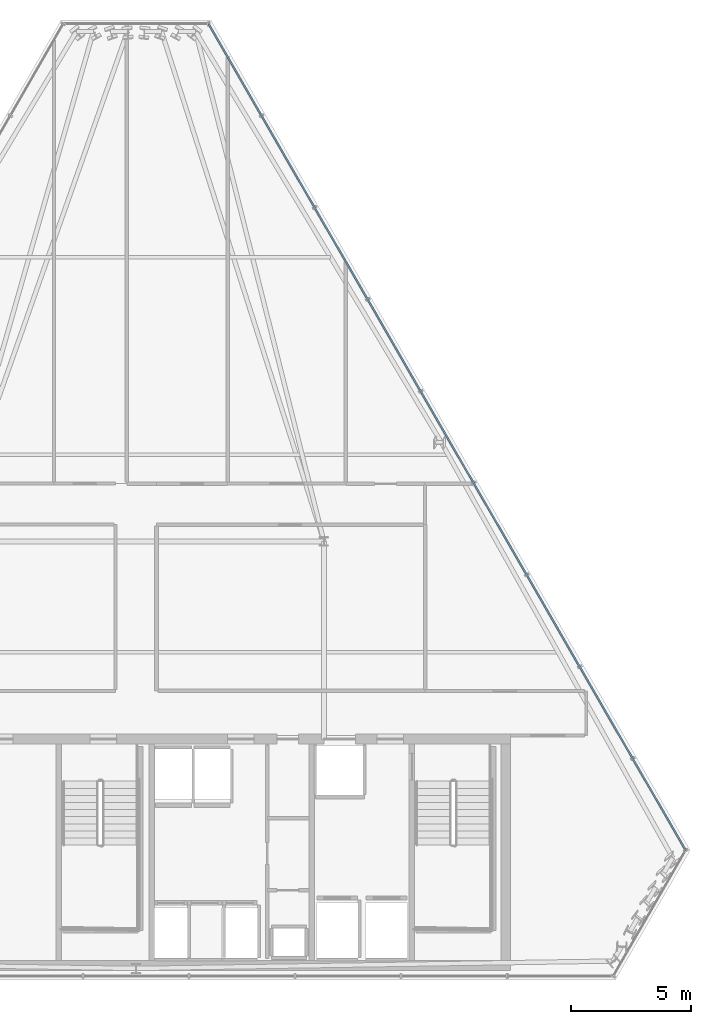
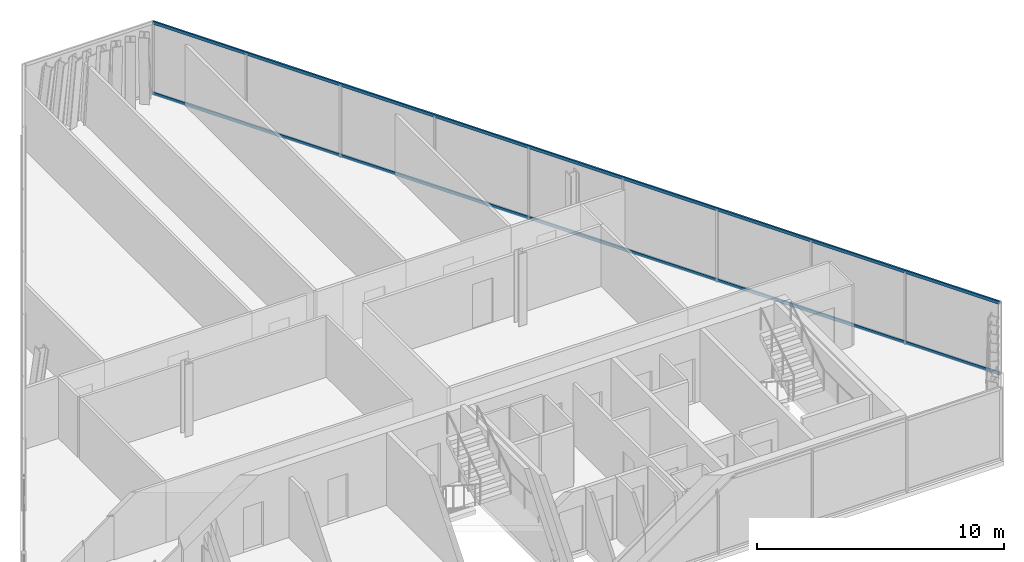
# One storey, part 23 of 32: 2 members, 1 element without a shape of its own.
"""IFC4 building model written with IfcOpenShell, lengths in metres."""

from ifc_helpers import new_model, si_unit, direction, frame, origin, origin_2d, place, context, subcontext, project, spatial, hollow_rectangle, extrude, material, layer, layer_set, material_profile, profile_set, type_object, element, aggregate, save


model = new_model("IFC4")

# Units and contexts
model_context = context("Model", 3, precision=1e-05, world=origin(), true_north=direction((0.0, 1.0)))
body_context = subcontext(model_context, "Body", "Model", "MODEL_VIEW")
ifc_project = project(units=[si_unit("LENGTHUNIT", "METRE"), si_unit("AREAUNIT", "SQUARE_METRE"), si_unit("VOLUMEUNIT", "CUBIC_METRE"), si_unit("PLANEANGLEUNIT", "RADIAN"), si_unit("MASSUNIT", "GRAM", prefix="KILO")], contexts=[model_context])

# Site, building, storey
site_placement = place(None, origin())
site = spatial("IfcSite", under=ifc_project, at=site_placement, CompositionType="ELEMENT")
building_placement = place(site_placement, origin())
building = spatial("IfcBuilding", under=site, at=building_placement, Name="Ndaravel Arena Tower", CompositionType="ELEMENT")
storey_placement = place(building_placement, frame((0.0, 0.0, 259.800048828125)))
storey = spatial("IfcBuildingStorey", under=building, at=storey_placement, Name="L63", CompositionType="ELEMENT", Elevation=259.800048828125)

# Curtain wall, members
ifc_material_1 = material(Name="Aluminium", Category="aluminium")
ifc_layer = layer(ifc_material_1, 0.179931640625)
ifc_layer_set = layer_set([ifc_layer], Name="Aluminium")
curtain_wall_type = type_object("IfcCurtainWallType", Name="CW-SYS-03", PredefinedType="NOTDEFINED", material=ifc_layer_set)
curtain_wall_placement = place(storey_placement, origin())
curtain_wall = element("IfcCurtainWall", 1, at=curtain_wall_placement, inside=storey, type_object=curtain_wall_type, Name="L63 Faceted Crystal Curtain Wall CW-L63-E03", PredefinedType="NOTDEFINED")
ifc_material_2 = material(Name="Aluminium", Category="aluminium")
ifc_material_profile = material_profile(ifc_material_2, hollow_rectangle(XDim=0.074951171875, YDim=0.14990234375, WallThickness=0.00390625, at=origin_2d()), Name="CW TRANSOM 75x150x4")
ifc_profile_set = profile_set([ifc_material_profile], Name="Aluminium")
member_type = type_object("IfcMemberType", Name="MEM-CW-TRN150", PredefinedType="USERDEFINED", material=ifc_profile_set)
member_1_placement = place(storey_placement, frame((64.816650390625, 10.3798828125, 0.0400390625), z_axis=(-0.500002234536, 0.866024113671, 0.0), x_axis=(-0.866024113671, -0.500002234536, 0.0)))
member_1 = element("IfcMember", 2, at=member_1_placement, type_object=member_type, Name="CW-L63-E03 Transom 01", ObjectType="TRANSOM", PredefinedType="USERDEFINED", context=body_context, shape_type="SweptSolid", body=[
    extrude(hollow_rectangle(XDim=0.074951171875, YDim=0.14990234375, WallThickness=0.00390625, at=origin_2d()), origin(), (0.0, 0.0, 1.0), 39.605712890625),
])
member_2_placement = place(storey_placement, frame((64.816650390625, 10.3798828125, 3.5400390625), z_axis=(-0.500002234536, 0.866024113671, 0.0), x_axis=(-0.866024113671, -0.500002234536, 0.0)))
member_2 = element("IfcMember", 3, at=member_2_placement, type_object=member_type, Name="CW-L63-E03 Transom 02", ObjectType="TRANSOM", PredefinedType="USERDEFINED", context=body_context, shape_type="SweptSolid", body=[
    extrude(hollow_rectangle(XDim=0.074951171875, YDim=0.14990234375, WallThickness=0.00390625, at=origin_2d()), origin(), (0.0, 0.0, 1.0), 39.605712890625),
])
aggregate(curtain_wall, [member_1, member_2])

save(model, "model.ifc")
